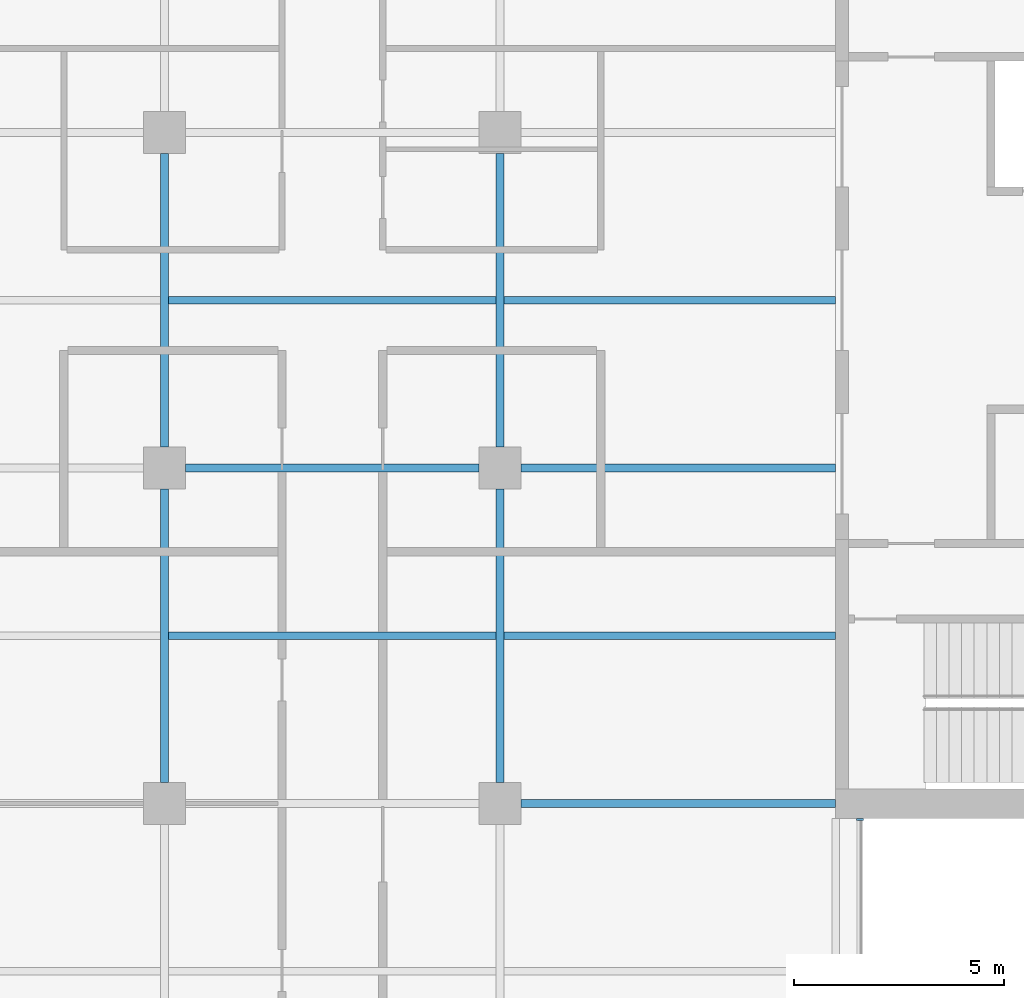
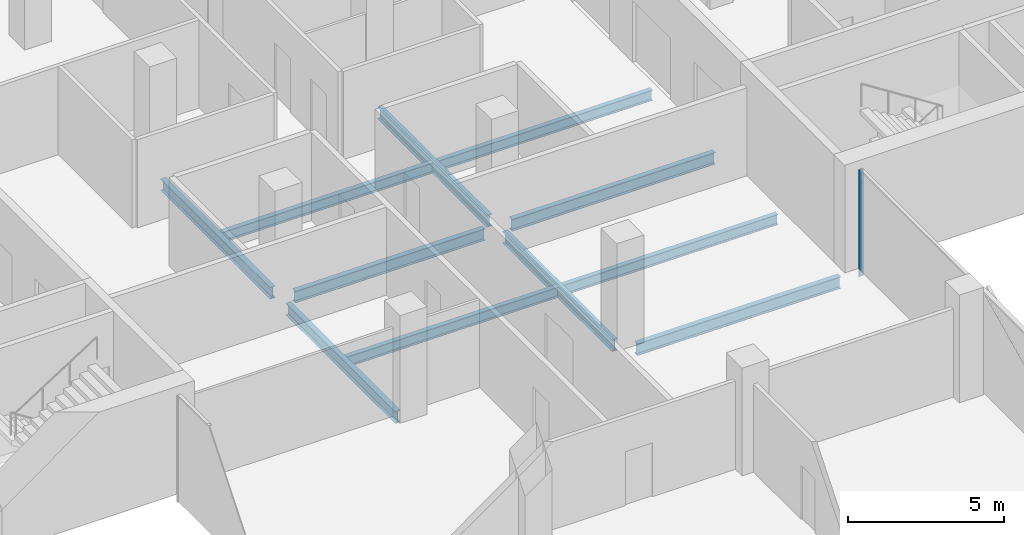
# One storey, part 6 of 22: 11 beams, 1 member, 1 element without a shape of its own.
"""IFC4 building model written with IfcOpenShell, lengths in metres."""

from ifc_helpers import new_model, si_unit, direction, frame, origin, origin_2d, place, context, subcontext, project, spatial, rectangle, i_section, extrude, material, material_profile, profile_set, type_object, element, aggregate, save


model = new_model("IFC4")

# Units and contexts
model_context = context("Model", 3, precision=1e-05, world=origin(), true_north=direction((0.0, 1.0)))
body_context = subcontext(model_context, "Body", "Model", "MODEL_VIEW")
ifc_project = project(units=[si_unit("LENGTHUNIT", "METRE"), si_unit("AREAUNIT", "SQUARE_METRE"), si_unit("VOLUMEUNIT", "CUBIC_METRE"), si_unit("PLANEANGLEUNIT", "RADIAN"), si_unit("MASSUNIT", "GRAM", prefix="KILO")], contexts=[model_context])

# Site, building, storey
site_placement = place(None, origin())
site = spatial("IfcSite", under=ifc_project, at=site_placement, CompositionType="ELEMENT")
building_placement = place(site_placement, origin())
building = spatial("IfcBuilding", under=site, at=building_placement, Name="Crosswind Convention Tower", CompositionType="ELEMENT")
storey_placement = place(building_placement, frame((0.0, 0.0, 142.10009765625)))
storey = spatial("IfcBuildingStorey", under=building, at=storey_placement, Name="L29", CompositionType="ELEMENT", Elevation=142.10009765625)

# Beams
ifc_material_1 = material(Name="Steel S355", Category="steel")
ifc_material_profile_1 = material_profile(ifc_material_1, i_section(OverallWidth=0.19140625, OverallDepth=0.460205078125, WebThickness=0.010009765625, FlangeThickness=0.01611328125, FilletRadius=0.01025390625, at=origin_2d()), Name="UB 457x191x82")
ifc_profile_set_1 = profile_set([ifc_material_profile_1], Name="Steel S355")
beam_type_1 = type_object("IfcBeamType", Name="Girder UB 457x191x82", PredefinedType="BEAM", material=ifc_profile_set_1)
for number, where, z_axis, x_axis, name in (
    (1, (121.0, 88.5, -0.5302734375), (0.0, 1.0, 0.0), (-1.0, 0.0, 0.0), "B3 L29 girder 5"),
    (2, (121.0, 96.5, -0.5302734375), (0.0, 1.0, 0.0), (-1.0, 0.0, 0.0), "B3 L29 girder 6"),
    (3, (121.5, 96.0, -0.5302734375), (1.0, 0.0, 0.0), (0.0, 1.0, 0.0), "B3 L29 girder 12"),
    (4, (129.0, 88.5, -0.5302734375), (0.0, 1.0, 0.0), (-1.0, 0.0, 0.0), "B3 L29 girder 18"),
    (5, (129.0, 96.5, -0.5302734375), (0.0, 1.0, 0.0), (-1.0, 0.0, 0.0), "B3 L29 girder 19"),
):
    element("IfcBeam", number, at=place(storey_placement, frame(where, z_axis=z_axis, x_axis=x_axis)), inside=storey, type_object=beam_type_1, Name=name, PredefinedType="BEAM", context=body_context, shape_type="SweptSolid", body=[
        extrude(i_section(OverallWidth=0.19140625, OverallDepth=0.460205078125, WebThickness=0.010009765625, FlangeThickness=0.01611328125, FilletRadius=0.01025390625, at=origin_2d()), origin(), (0.0, 0.0, 1.0), 7.0),
    ])
ifc_material_profile_2 = material_profile(ifc_material_1, i_section(OverallWidth=0.19189453125, OverallDepth=0.463623046875, WebThickness=0.010498046875, FlangeThickness=0.017578125, FilletRadius=0.01025390625, at=origin_2d()), Name="UB 457x191x90")
ifc_profile_set_2 = profile_set([ifc_material_profile_2], Name="Steel S355")
beam_type_2 = type_object("IfcBeamType", Name="Girder at core wall UB 457x191x90", PredefinedType="BEAM", material=ifc_profile_set_2)
for number, where, z_axis, x_axis, name in (
    (6, (129.5, 88.0, -0.531982421875), (1.0, 0.0, 0.0), (0.0, 1.0, 0.0), "B24 L29 girder at core wall 7"),
    (7, (129.5, 96.0, -0.531982421875), (1.0, 0.0, 0.0), (0.0, 1.0, 0.0), "B24 L29 girder at core wall 8"),
):
    element("IfcBeam", number, at=place(storey_placement, frame(where, z_axis=z_axis, x_axis=x_axis)), inside=storey, type_object=beam_type_2, Name=name, PredefinedType="BEAM", context=body_context, shape_type="SweptSolid", body=[
        extrude(i_section(OverallWidth=0.19189453125, OverallDepth=0.463623046875, WebThickness=0.010498046875, FlangeThickness=0.017578125, FilletRadius=0.01025390625, at=origin_2d()), origin(), (0.0, 0.0, 1.0), 7.5),
    ])

# Curtain wall, member
ifc_material_2 = material(Name="Aluminium unitised curtain wall", Category="aluminium")
curtain_wall_type = type_object("IfcCurtainWallType", Name="CORE END SLOT WALL 160", PredefinedType="USERDEFINED", material=ifc_material_2)
curtain_wall_placement = place(storey_placement, origin())
curtain_wall = element("IfcCurtainWall", 8, at=curtain_wall_placement, inside=storey, type_object=curtain_wall_type, Name="CW6 L29 S-E.1-2 slot", ObjectType="UNITISED", PredefinedType="USERDEFINED")
ifc_material_3 = material(Name="Aluminium mullion", Category="aluminium")
ifc_material_profile_3 = material_profile(ifc_material_3, rectangle(XDim=0.159912109375, YDim=0.050048828125, at=origin_2d()), Name="AL 160X50")
ifc_profile_set_3 = profile_set([ifc_material_profile_3], Name="Aluminium mullion")
member_type = type_object("IfcMemberType", Name="MULLION 50X160", PredefinedType="MULLION", material=ifc_profile_set_3)
member_placement = place(storey_placement, frame((137.580078125, 87.625, -0.300048828125), z_axis=(0.0, 0.0, 1.0), x_axis=(1.0, 0.0, 0.0)))
member = element("IfcMember", 9, at=member_placement, type_object=member_type, Name="CW6 mullion 2", PredefinedType="MULLION", context=body_context, shape_type="SweptSolid", body=[
    extrude(rectangle(XDim=0.159912109375, YDim=0.050048828125, at=origin_2d()), origin(), (0.0, 0.0, 1.0), 4.14990234375),
])
aggregate(curtain_wall, [member])

# Beams
ifc_material_profile_4 = material_profile(ifc_material_1, i_section(OverallWidth=0.177734375, OverallDepth=0.406494140625, WebThickness=0.0078125, FlangeThickness=0.0126953125, FilletRadius=0.01025390625, at=origin_2d()), Name="UB 406x178x60")
ifc_profile_set_4 = profile_set([ifc_material_profile_4], Name="Steel S355")
beam_type_3 = type_object("IfcBeamType", Name="Secondary beam UB 406x178x60", PredefinedType="JOIST", material=ifc_profile_set_4)
for number, where, z_axis, x_axis, name in (
    (10, (121.095703125, 92.0, -0.50341796875), (1.0, 0.0, 0.0), (0.0, 1.0, 0.0), "B10 L29 secondary beam 13"),
    (11, (121.095703125, 100.0, -0.50341796875), (1.0, 0.0, 0.0), (0.0, 1.0, 0.0), "B10 L29 secondary beam 14"),
):
    element("IfcBeam", number, at=place(storey_placement, frame(where, z_axis=z_axis, x_axis=x_axis)), inside=storey, type_object=beam_type_3, Name=name, PredefinedType="JOIST", context=body_context, shape_type="SweptSolid", body=[
        extrude(i_section(OverallWidth=0.177734375, OverallDepth=0.406494140625, WebThickness=0.0078125, FlangeThickness=0.0126953125, FilletRadius=0.01025390625, at=origin_2d()), origin(), (0.0, 0.0, 1.0), 7.80859375),
    ])
for number, where, z_axis, x_axis, name in (
    (12, (129.095703125, 92.0, -0.50341796875), (1.0, 0.0, 0.0), (0.0, 1.0, 0.0), "B10 L29 secondary beam 20"),
    (13, (129.095703125, 100.0, -0.50341796875), (1.0, 0.0, 0.0), (0.0, 1.0, 0.0), "B10 L29 secondary beam 21"),
):
    element("IfcBeam", number, at=place(storey_placement, frame(where, z_axis=z_axis, x_axis=x_axis)), inside=storey, type_object=beam_type_3, Name=name, PredefinedType="JOIST", context=body_context, shape_type="SweptSolid", body=[
        extrude(i_section(OverallWidth=0.177734375, OverallDepth=0.406494140625, WebThickness=0.0078125, FlangeThickness=0.0126953125, FilletRadius=0.01025390625, at=origin_2d()), origin(), (0.0, 0.0, 1.0), 7.904296875),
    ])

save(model, "model.ifc")
